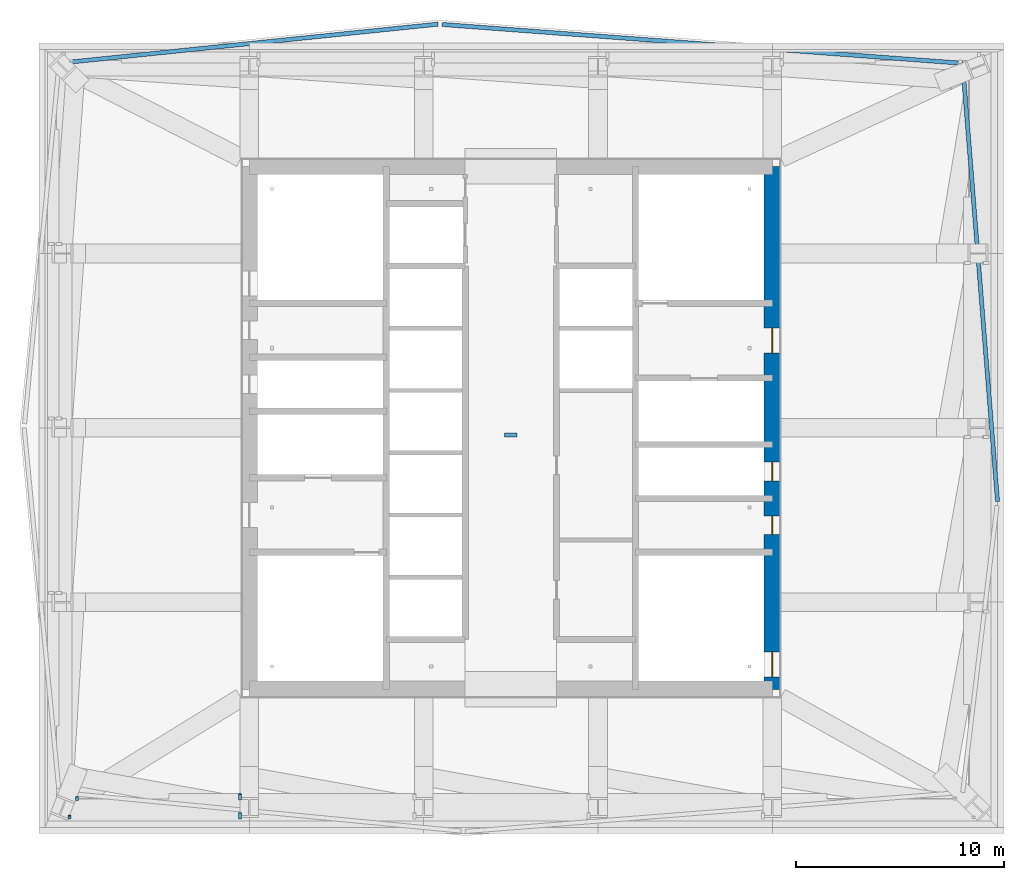
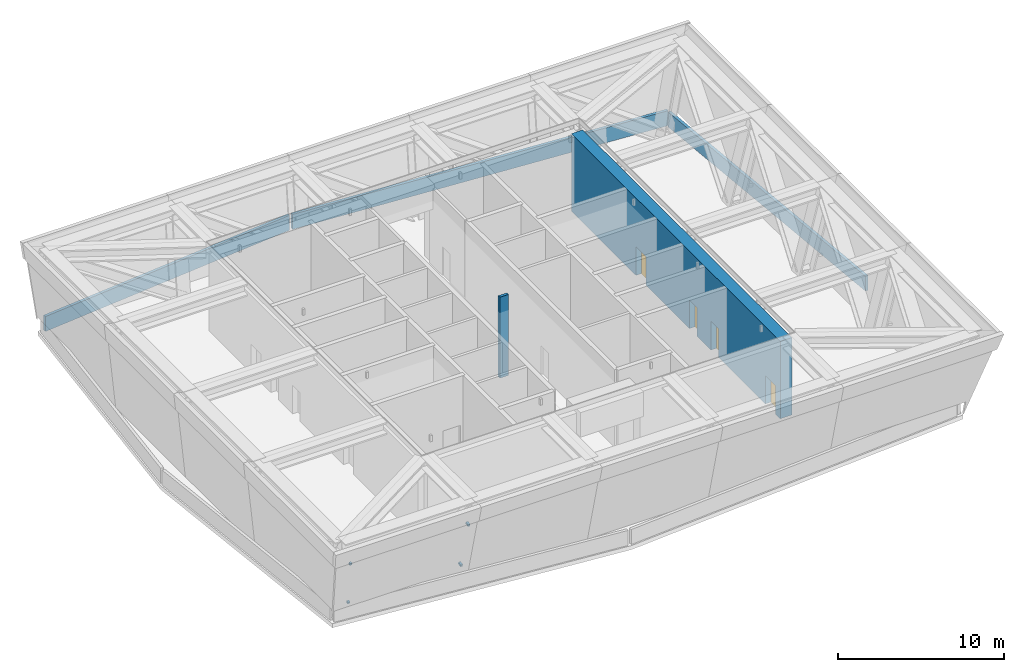
# One storey, part 3 of 7: 5 discrete accessories, 4 doors, 4 walls, 4 openings.
"""IFC4 building model written with IfcOpenShell, lengths in metres."""

from ifc_helpers import new_model, si_unit, direction, frame, frame_2d, origin, origin_2d, place, context, subcontext, project, spatial, rectangle, extrude, material, layer, layer_set, type_object, element, fill, save


model = new_model("IFC4")

# Units and contexts
model_context = context("Model", 3, precision=1e-05, world=origin(), true_north=direction((0.0, 1.0)))
body_context = subcontext(model_context, "Body", "Model", "MODEL_VIEW")
ifc_project = project(units=[si_unit("LENGTHUNIT", "METRE"), si_unit("AREAUNIT", "SQUARE_METRE"), si_unit("VOLUMEUNIT", "CUBIC_METRE"), si_unit("PLANEANGLEUNIT", "RADIAN"), si_unit("MASSUNIT", "GRAM", prefix="KILO")], contexts=[model_context])

# Site, building, storey
site_placement = place(None, origin())
site = spatial("IfcSite", under=ifc_project, at=site_placement, CompositionType="ELEMENT")
building_placement = place(site_placement, origin())
building = spatial("IfcBuilding", under=site, at=building_placement, Name="Rekha Terrace Tower", CompositionType="ELEMENT")
storey_placement = place(building_placement, frame((0.0, 0.0, 296.75)))
storey = spatial("IfcBuildingStorey", under=building, at=storey_placement, Name="L75", CompositionType="ELEMENT", Elevation=296.75)

# Walls
ifc_material_1 = material(Name="Concrete M40", Category="concrete")
ifc_layer_1 = layer(ifc_material_1, 0.199951171875)
ifc_layer_set_1 = layer_set([ifc_layer_1], Name="Concrete M40")
wall_type_1 = type_object("IfcWallType", Name="PP1 parapet wall 200", PredefinedType="PARAPET", material=ifc_layer_set_1)
wall_1_placement = place(storey_placement, frame((61.2490234375, 30.053955078125, 0.0), z_axis=(0.0, 0.0, 1.0), x_axis=(-0.079562959651, 0.996829842777, 0.0)))
element("IfcWall", 1, at=wall_1_placement, inside=storey, type_object=wall_type_1, Name="Roof parapet", PredefinedType="PARAPET", context=body_context, shape_type="SweptSolid", body=[
    extrude(rectangle(XDim=20.976318359375, YDim=0.199951171875, at=frame_2d((10.48828125, 0.0))), origin(), (0.0, 0.0, 1.0), 1.10009765625),
])
wall_2_placement = place(storey_placement, frame((59.564208984375, 51.163330078125, 0.0), z_axis=(0.0, 0.0, 1.0), x_axis=(-0.997227282993, 0.074416033581, 0.0)))
element("IfcWall", 2, at=wall_2_placement, inside=storey, type_object=wall_type_1, Name="Roof parapet", PredefinedType="PARAPET", context=body_context, shape_type="SweptSolid", body=[
    extrude(rectangle(XDim=25.143798828125, YDim=0.199951171875, at=frame_2d((12.57177734375, 0.0))), origin(), (0.0, 0.0, 1.0), 1.10009765625),
])
wall_3_placement = place(storey_placement, frame((34.290771484375, 53.04931640625, 0.0), z_axis=(0.0, 0.0, 1.0), x_axis=(-0.994731305724, -0.102516483615, 0.0)))
element("IfcWall", 3, at=wall_3_placement, inside=storey, type_object=wall_type_1, Name="Roof parapet", PredefinedType="PARAPET", context=body_context, shape_type="SweptSolid", body=[
    extrude(rectangle(XDim=18.154052734375, YDim=0.199951171875, at=frame_2d((9.0771484375, 0.0))), origin(), (0.0, 0.0, 1.0), 1.10009765625),
])

# Wall, openings, doors
ifc_material_2 = material(Name="Concrete M60", Category="concrete")
ifc_layer_2 = layer(ifc_material_2, 0.800048828125)
ifc_layer_set_2 = layer_set([ifc_layer_2], Name="Concrete M60")
wall_type_2 = type_object("IfcWallType", Name="SW5 800 core outer shear wall", PredefinedType="SHEAR", material=ifc_layer_set_2)
wall_4_placement = place(storey_placement, frame((50.39990234375, 21.0, 0.0), z_axis=(0.0, 0.0, 1.0), x_axis=(0.0, 1.0, 0.0)))
wall_4 = element("IfcWall", 4, at=wall_4_placement, inside=storey, type_object=wall_type_2, Name="Core wall E L75", PredefinedType="SHEAR", context=body_context, shape_type="SweptSolid", body=[
    extrude(rectangle(XDim=25.199951171875, YDim=0.800048828125, at=frame_2d((12.60009765625, 0.0))), origin(), (0.0, 0.0, 1.0), 5.699951171875),
])
opening_1_placement = place(wall_4_placement, frame((16.199951171875, 0.0, 0.0)))
opening_1 = element("IfcOpeningElement", 5, at=opening_1_placement, cuts=wall_4, Name="Opening D2", PredefinedType="OPENING", context=body_context, shape_type="SweptSolid", body=[
    extrude(rectangle(XDim=1.199951171875, YDim=2.10009765625, at=frame_2d((0.60009765625, 1.050048828125))), frame((0.0, 0.409912109375, 0.0), z_axis=(0.0, -1.0, 0.0), x_axis=(1.0, 0.0, 0.0)), (0.0, 0.0, 1.0), 0.820068359375),
])
opening_2_placement = place(wall_4_placement, frame((10.050048828125, 0.0, 0.0)))
opening_2 = element("IfcOpeningElement", 6, at=opening_2_placement, cuts=wall_4, Name="Opening D5", PredefinedType="OPENING", context=body_context, shape_type="SweptSolid", body=[
    extrude(rectangle(XDim=0.89990234375, YDim=2.10009765625, at=frame_2d((0.449951171875, 1.050048828125))), frame((0.0, 0.409912109375, 0.0), z_axis=(0.0, -1.0, 0.0), x_axis=(1.0, 0.0, 0.0)), (0.0, 0.0, 1.0), 0.820068359375),
])
opening_3_placement = place(wall_4_placement, frame((7.449951171875, 0.0, 0.0)))
opening_3 = element("IfcOpeningElement", 7, at=opening_3_placement, cuts=wall_4, Name="Opening D5", PredefinedType="OPENING", context=body_context, shape_type="SweptSolid", body=[
    extrude(rectangle(XDim=0.89990234375, YDim=2.10009765625, at=frame_2d((0.449951171875, 1.050048828125))), frame((0.0, 0.409912109375, 0.0), z_axis=(0.0, -1.0, 0.0), x_axis=(1.0, 0.0, 0.0)), (0.0, 0.0, 1.0), 0.820068359375),
])
opening_4_placement = place(wall_4_placement, frame((0.60009765625, 0.0, 0.0)))
opening_4 = element("IfcOpeningElement", 8, at=opening_4_placement, cuts=wall_4, Name="Opening D1", PredefinedType="OPENING", context=body_context, shape_type="SweptSolid", body=[
    extrude(rectangle(XDim=1.199951171875, YDim=2.10009765625, at=frame_2d((0.60009765625, 1.050048828125))), frame((0.0, 0.409912109375, 0.0), z_axis=(0.0, -1.0, 0.0), x_axis=(1.0, 0.0, 0.0)), (0.0, 0.0, 1.0), 0.820068359375),
])
ifc_material_3 = material(Name="Steel fire door", Category="steel")
door_type_1 = type_object("IfcDoorType", Name="D1 1200x2100 stair fire door", OperationType="SINGLE_SWING_RIGHT", PredefinedType="DOOR", material=ifc_material_3)
door_1_placement = place(opening_4_placement, origin())
door_1 = element("IfcDoor", 9, at=door_1_placement, inside=storey, type_object=door_type_1, Name="Stair ST3 door L75", OperationType="SINGLE_SWING_RIGHT", OverallHeight=2.10009765625, OverallWidth=1.199951171875, PredefinedType="DOOR", context=body_context, shape_type="SweptSolid", body=[
    extrude(rectangle(XDim=1.199951171875, YDim=2.10009765625, at=frame_2d((0.60009765625, 1.050048828125))), frame((0.0, 0.02490234375, 0.0), z_axis=(0.0, -1.0, 0.0), x_axis=(1.0, 0.0, 0.0)), (0.0, 0.0, 1.0), 0.050048828125),
])
fill(opening_4, door_1)
door_type_2 = type_object("IfcDoorType", Name="D2 1200x2100 firefighting lobby door", OperationType="SINGLE_SWING_LEFT", PredefinedType="DOOR", material=ifc_material_3)
door_2_placement = place(opening_1_placement, origin())
door_2 = element("IfcDoor", 10, at=door_2_placement, inside=storey, type_object=door_type_2, Name="Door flb2 L75", OperationType="SINGLE_SWING_LEFT", OverallHeight=2.10009765625, OverallWidth=1.199951171875, PredefinedType="DOOR", context=body_context, shape_type="SweptSolid", body=[
    extrude(rectangle(XDim=1.199951171875, YDim=2.10009765625, at=frame_2d((0.60009765625, 1.050048828125))), frame((0.0, 0.02490234375, 0.0), z_axis=(0.0, -1.0, 0.0), x_axis=(1.0, 0.0, 0.0)), (0.0, 0.0, 1.0), 0.050048828125),
])
fill(opening_1, door_2)
door_type_3 = type_object("IfcDoorType", Name="D5 900x2100 riser access door", OperationType="SINGLE_SWING_LEFT", PredefinedType="DOOR", material=ifc_material_3)
door_3_placement = place(opening_2_placement, origin())
door_3 = element("IfcDoor", 11, at=door_3_placement, inside=storey, type_object=door_type_3, Name="Door rs2 L75", OperationType="SINGLE_SWING_LEFT", OverallHeight=2.10009765625, OverallWidth=0.89990234375, PredefinedType="DOOR", context=body_context, shape_type="SweptSolid", body=[
    extrude(rectangle(XDim=0.89990234375, YDim=2.10009765625, at=frame_2d((0.449951171875, 1.050048828125))), frame((0.0, 0.02490234375, 0.0), z_axis=(0.0, -1.0, 0.0), x_axis=(1.0, 0.0, 0.0)), (0.0, 0.0, 1.0), 0.050048828125),
])
fill(opening_2, door_3)
door_4_placement = place(opening_3_placement, origin())
door_4 = element("IfcDoor", 12, at=door_4_placement, inside=storey, type_object=door_type_3, Name="Door ele L75", OperationType="SINGLE_SWING_LEFT", OverallHeight=2.10009765625, OverallWidth=0.89990234375, PredefinedType="DOOR", context=body_context, shape_type="SweptSolid", body=[
    extrude(rectangle(XDim=0.89990234375, YDim=2.10009765625, at=frame_2d((0.449951171875, 1.050048828125))), frame((0.0, 0.02490234375, 0.0), z_axis=(0.0, -1.0, 0.0), x_axis=(1.0, 0.0, 0.0)), (0.0, 0.0, 1.0), 0.050048828125),
])
fill(opening_3, door_4)

# Discrete accessories
ifc_material_4 = material(Name="Galvanised steel bracket", Category="steel")
discrete_accessory_type_1 = type_object("IfcDiscreteAccessoryType", Name="CB2 crown screen bracket 150 x 150", PredefinedType="BRACKET", material=ifc_material_4)
for number, where, z_axis, x_axis, name in (
    (13, (16.89013671875, 15.8232421875, 1.3193359375), (0.0, -0.968536612932, -0.248871110033), (1.0, 0.0, 0.0), "Crown screen bracket 3C foot"),
    (14, (16.531005859375, 14.92578125, 4.8193359375), (0.0, -0.968536612932, -0.248871110033), (1.0, 0.0, 0.0), "Crown screen bracket 3C head"),
):
    element("IfcDiscreteAccessory", number, at=place(storey_placement, frame(where, z_axis=z_axis, x_axis=x_axis)), inside=storey, type_object=discrete_accessory_type_1, Name=name, PredefinedType="BRACKET", context=body_context, shape_type="SweptSolid", body=[
        extrude(rectangle(XDim=0.14990234375, YDim=0.14990234375, at=origin_2d()), origin(), (0.0, 0.0, 1.0), 0.154052734375),
    ])
for number, where, z_axis, x_axis, name in (
    (15, (24.75, 15.95361328125, 1.328369140625), (0.0, -0.968546496839, -0.248832641471), (1.0, 0.0, 0.0), "Crown screen bracket 4C foot"),
    (16, (24.75, 15.05615234375, 4.828369140625), (0.0, -0.968546496839, -0.248832641471), (1.0, 0.0, 0.0), "Crown screen bracket 4C head"),
):
    element("IfcDiscreteAccessory", number, at=place(storey_placement, frame(where, z_axis=z_axis, x_axis=x_axis)), inside=storey, type_object=discrete_accessory_type_1, Name=name, PredefinedType="BRACKET", context=body_context, shape_type="SweptSolid", body=[
        extrude(rectangle(XDim=0.14990234375, YDim=0.14990234375, at=origin_2d()), origin(), (0.0, 0.0, 1.0), 0.282470703125),
    ])
ifc_material_5 = material(Name="Galvanised steel ladder with safety hoops", Category="steel")
discrete_accessory_type_2 = type_object("IfcDiscreteAccessoryType", Name="LA1 fixed access ladder with safety hoops", PredefinedType="USERDEFINED", material=ifc_material_5)
discrete_accessory_placement = place(storey_placement, frame((37.800048828125, 33.25, 0.0), z_axis=(0.0, 0.0, 1.0), x_axis=(1.0, 0.0, 0.0)))
element("IfcDiscreteAccessory", 17, at=discrete_accessory_placement, inside=storey, type_object=discrete_accessory_type_2, Name="Crown roof fixed access ladder", ObjectType="FIXED ACCESS LADDER", PredefinedType="USERDEFINED", context=body_context, shape_type="SweptSolid", body=[
    extrude(rectangle(XDim=0.60009765625, YDim=0.199951171875, at=origin_2d()), origin(), (0.0, 0.0, 1.0), 5.949951171875),
])

save(model, "model.ifc")
